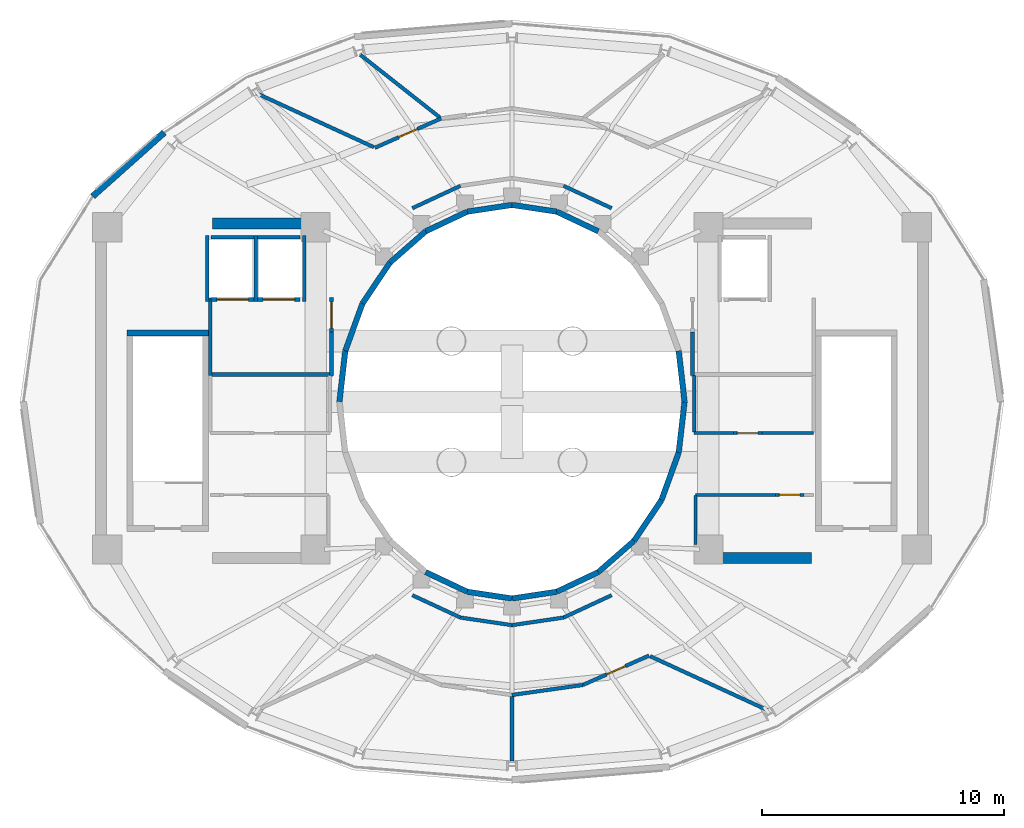
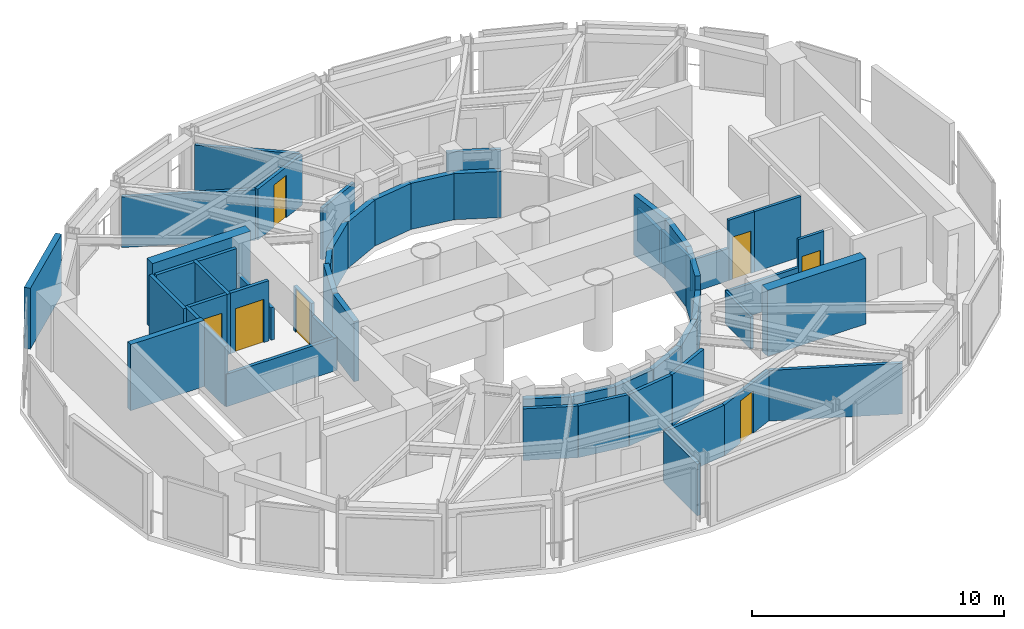
# One storey, part 15 of 17: 53 walls, 7 doors, 7 openings.
"""IFC4 building model written with IfcOpenShell, lengths in metres."""

from ifc_helpers import new_model, si_unit, direction, frame, frame_2d, origin, place, context, subcontext, project, spatial, rectangle, extrude, material, layer, layer_set, type_object, element, fill, save


model = new_model("IFC4")

# Units and contexts
model_context = context("Model", 3, precision=1e-05, world=origin(), true_north=direction((0.0, 1.0)))
body_context = subcontext(model_context, "Body", "Model", "MODEL_VIEW")
ifc_project = project(units=[si_unit("LENGTHUNIT", "METRE"), si_unit("AREAUNIT", "SQUARE_METRE"), si_unit("VOLUMEUNIT", "CUBIC_METRE"), si_unit("PLANEANGLEUNIT", "RADIAN"), si_unit("MASSUNIT", "GRAM", prefix="KILO")], contexts=[model_context])

# Site, building, storey
site_placement = place(None, origin())
site = spatial("IfcSite", under=ifc_project, at=site_placement, CompositionType="ELEMENT")
building_placement = place(site_placement, origin())
building = spatial("IfcBuilding", under=site, at=building_placement, Name="Solvane Sanctuary Tower", CompositionType="ELEMENT")
storey_placement = place(building_placement, frame((0.0, 0.0, 276.39990234375)))
storey = spatial("IfcBuildingStorey", under=building, at=storey_placement, Name="L84", CompositionType="ELEMENT", Elevation=276.39990234375)

# Walls
ifc_material_1 = material(Name="Concrete C50/60", Category="concrete")
ifc_layer_1 = layer(ifc_material_1, 0.449951171875, Name="Concrete C50/60")
ifc_layer_set_1 = layer_set([ifc_layer_1], Name="Concrete C50/60")
wall_type_1 = type_object("IfcWallType", Name="Wall W-CORE-450", PredefinedType="SHEAR", material=ifc_layer_set_1)
for number, where, z_axis, x_axis, name in (
    (1, (19.64990234375, 30.35009765625, 0.0), (0.0, 0.0, 1.0), (1.0, 0.0, 0.0), "L84 Core Shear Wall WC-N"),
    (2, (39.85009765625, 16.550048828125, 0.0), (0.0, 0.0, 1.0), (1.0, 0.0, 0.0), "L84 Core Shear Wall EC-S"),
):
    element("IfcWall", number, at=place(storey_placement, frame(where, z_axis=z_axis, x_axis=x_axis)), inside=storey, type_object=wall_type_1, Name=name, PredefinedType="SHEAR", context=body_context, shape_type="SweptSolid", body=[
        extrude(rectangle(XDim=4.5, YDim=0.449951171875, at=frame_2d((2.25, 0.0))), origin(), (0.0, 0.0, 1.0), 3.2001953125),
    ])
ifc_material_2 = material(Name="Acoustic Gypsum Partition Board")
ifc_layer_2 = layer(ifc_material_2, 0.14990234375, Name="Acoustic Gypsum Partition Board")
ifc_layer_set_2 = layer_set([ifc_layer_2], Name="Acoustic Gypsum Partition Board")
wall_type_2 = type_object("IfcWallType", Name="Wall W-CORR-150", PredefinedType="PARTITIONING", material=ifc_layer_set_2)
wall_1_placement = place(storey_placement, frame((19.52001953125, 24.1201171875, 0.0), z_axis=(0.0, 0.0, 1.0), x_axis=(1.0, 0.0, 0.0)))
element("IfcWall", 3, at=wall_1_placement, inside=storey, type_object=wall_type_2, Name="L84 West Firefighting Lobby South Wall", PredefinedType="PARTITIONING", context=body_context, shape_type="SweptSolid", body=[
    extrude(rectangle(XDim=5.080078125, YDim=0.14990234375, at=frame_2d((2.5400390625, 0.0))), origin(), (0.0, 0.0, 1.0), 1.570068359375),
])
wall_2_placement = place(storey_placement, frame((19.550048828125, 24.080078125, 0.0), z_axis=(0.0, 0.0, 1.0), x_axis=(0.0, 1.0, 0.0)))
element("IfcWall", 4, at=wall_2_placement, inside=storey, type_object=wall_type_2, Name="L84 West Firefighting Lobby West Wall", PredefinedType="PARTITIONING", context=body_context, shape_type="SweptSolid", body=[
    extrude(rectangle(XDim=3.199951171875, YDim=0.14990234375, at=frame_2d((1.60009765625, 0.0))), origin(), (0.0, 0.0, 1.0), 2.925048828125),
])
wall_3_placement = place(storey_placement, frame((24.550048828125, 24.080078125, 0.0), z_axis=(0.0, 0.0, 1.0), x_axis=(0.0, 1.0, 0.0)))
element("IfcWall", 5, at=wall_3_placement, inside=storey, type_object=wall_type_2, Name="L84 West Firefighting Lobby East Wall", PredefinedType="PARTITIONING", context=body_context, shape_type="SweptSolid", body=[
    extrude(rectangle(XDim=1.791015625, YDim=0.14990234375, at=frame_2d((0.8955078125, 0.0))), origin(), (0.0, 0.0, 1.0), 1.570068359375),
])

# Wall, opening, door
wall_4_placement = place(storey_placement, frame((24.550048828125, 25.87109375, 0.0), z_axis=(0.0, 0.0, 1.0), x_axis=(0.0, 1.0, 0.0)))
wall_4 = element("IfcWall", 6, at=wall_4_placement, inside=storey, type_object=wall_type_2, Name="L84 West Firefighting Lobby East Wall", PredefinedType="PARTITIONING", context=body_context, shape_type="SweptSolid", body=[
    extrude(rectangle(XDim=1.419921875, YDim=0.14990234375, at=frame_2d((0.7099609375, 0.0))), origin(), (0.0, 0.0, 1.0), 2.16015625),
])
opening_1_placement = place(wall_4_placement, frame((0.159912109375, 0.0, 0.0)))
opening_1 = element("IfcOpeningElement", 7, at=opening_1_placement, cuts=wall_4, Name="Opening D-L84-03", PredefinedType="OPENING", context=body_context, shape_type="SweptSolid", body=[
    extrude(rectangle(XDim=1.10009765625, YDim=2.10009765625, at=frame_2d((0.550048828125, 1.050048828125))), frame((0.0, 0.0849609375, 0.0), z_axis=(0.0, -1.0, 0.0), x_axis=(1.0, 0.0, 0.0)), (0.0, 0.0, 1.0), 0.169921875),
])
ifc_material_3 = material(Name="Architectural Stainless Steel 316", Category="steel")
door_type_1 = type_object("IfcDoorType", Name="Door D-FFL", OperationType="NOTDEFINED", PredefinedType="DOOR", material=ifc_material_3)
door_1_placement = place(opening_1_placement, origin())
door_1 = element("IfcDoor", 8, at=door_1_placement, inside=storey, type_object=door_type_1, Name="L84 West Firefighting Lobby Fire Door", OperationType="SINGLE_SWING_RIGHT", OverallHeight=2.10009765625, OverallWidth=1.10009765625, PredefinedType="DOOR", context=body_context, shape_type="SweptSolid", body=[
    extrude(rectangle(XDim=1.10009765625, YDim=2.10009765625, at=frame_2d((0.550048828125, 1.050048828125))), frame((0.0, 0.02490234375, 0.0), z_axis=(0.0, -1.0, 0.0), x_axis=(1.0, 0.0, 0.0)), (0.0, 0.0, 1.0), 0.050048828125),
])
fill(opening_1, door_1)

# Walls
wall_5_placement = place(storey_placement, frame((39.449951171875, 24.080078125, 0.0), z_axis=(0.0, 0.0, 1.0), x_axis=(0.0, 1.0, 0.0)))
element("IfcWall", 9, at=wall_5_placement, inside=storey, type_object=wall_type_2, Name="L84 East Firefighting Lobby West Wall", PredefinedType="PARTITIONING", context=body_context, shape_type="SweptSolid", body=[
    extrude(rectangle(XDim=1.791015625, YDim=0.14990234375, at=frame_2d((0.8955078125, 0.0))), origin(), (0.0, 0.0, 1.0), 1.570068359375),
])
for number, where, z_axis, x_axis, name in (
    (10, (36.110107421875, 30.98486328125, 0.0), (0.0, 0.0, 1.0), (-0.906943449489, 0.421252393975, 0.0), "L84 Light-Well Corridor Rim Wall N1"),
    (11, (29.87255859375, 31.90576171875, 0.0), (0.0, 0.0, 1.0), (-0.906943449489, -0.421252393975, 0.0), "L84 Light-Well Corridor Rim Wall N4"),
    (12, (27.889892578125, 15.01513671875, 0.0), (0.0, 0.0, 1.0), (0.906943449489, -0.421252393975, 0.0), "L84 Light-Well Corridor Rim Wall S1"),
):
    element("IfcWall", number, at=place(storey_placement, frame(where, z_axis=z_axis, x_axis=x_axis)), inside=storey, type_object=wall_type_2, Name=name, PredefinedType="PARTITIONING", context=body_context, shape_type="SweptSolid", body=[
        extrude(rectangle(XDim=2.18603515625, YDim=0.14990234375, at=frame_2d((1.093017578125, 0.0))), origin(), (0.0, 0.0, 1.0), 2.5009765625),
    ])
for number, where, z_axis, x_axis, name in (
    (13, (29.87255859375, 14.09423828125, 0.0), (0.0, 0.0, 1.0), (0.989268584896, -0.146108408166, 0.0), "L84 Light-Well Corridor Rim Wall S2"),
    (14, (32.0, 13.780029296875, 0.0), (0.0, 0.0, 1.0), (0.989268584896, 0.146108408166, 0.0), "L84 Light-Well Corridor Rim Wall S3"),
):
    element("IfcWall", number, at=place(storey_placement, frame(where, z_axis=z_axis, x_axis=x_axis)), inside=storey, type_object=wall_type_2, Name=name, PredefinedType="PARTITIONING", context=body_context, shape_type="SweptSolid", body=[
        extrude(rectangle(XDim=2.150634765625, YDim=0.14990234375, at=frame_2d((1.0751953125, 0.0))), origin(), (0.0, 0.0, 1.0), 2.5009765625),
    ])
wall_6_placement = place(storey_placement, frame((34.12744140625, 14.09423828125, 0.0), z_axis=(0.0, 0.0, 1.0), x_axis=(0.906943449489, 0.421252393975, 0.0)))
element("IfcWall", 15, at=wall_6_placement, inside=storey, type_object=wall_type_2, Name="L84 Light-Well Corridor Rim Wall S4", PredefinedType="PARTITIONING", context=body_context, shape_type="SweptSolid", body=[
    extrude(rectangle(XDim=2.18603515625, YDim=0.14990234375, at=frame_2d((1.093017578125, 0.0))), origin(), (0.0, 0.0, 1.0), 2.5009765625),
])
wall_7_placement = place(storey_placement, frame((29.031982421875, 34.7216796875, 0.0), z_axis=(0.0, 0.0, 1.0), x_axis=(-0.785483941074, 0.618882039096, 0.0)))
element("IfcWall", 16, at=wall_7_placement, inside=storey, type_object=wall_type_2, Name="L84 Mechanical Plant Radial Wall 105", PredefinedType="PARTITIONING", context=body_context, shape_type="SweptSolid", body=[
    extrude(rectangle(XDim=4.186767578125, YDim=0.14990234375, at=frame_2d((2.09326171875, 0.0))), origin(), (0.0, 0.0, 1.0), 2.5009765625),
])
wall_8_placement = place(storey_placement, frame((26.300048828125, 33.501953125, 0.0), z_axis=(0.0, 0.0, 1.0), x_axis=(-0.908705087361, 0.417438695144, 0.0)))
element("IfcWall", 17, at=wall_8_placement, inside=storey, type_object=wall_type_2, Name="L84 Mechanical Plant Radial Wall 120", PredefinedType="PARTITIONING", context=body_context, shape_type="SweptSolid", body=[
    extrude(rectangle(XDim=5.3173828125, YDim=0.14990234375, at=frame_2d((2.65869140625, 0.0))), origin(), (0.0, 0.0, 1.0), 2.455078125),
])
wall_9_placement = place(storey_placement, frame((32.0, 10.844970703125, 0.0), z_axis=(0.0, 0.0, 1.0), x_axis=(0.0, -1.0, 0.0)))
element("IfcWall", 18, at=wall_9_placement, inside=storey, type_object=wall_type_2, Name="L84 Mechanical Plant Radial Wall 270", PredefinedType="PARTITIONING", context=body_context, shape_type="SweptSolid", body=[
    extrude(rectangle(XDim=2.669921875, YDim=0.14990234375, at=frame_2d((1.3349609375, 0.0))), origin(), (0.0, 0.0, 1.0), 2.5009765625),
])
wall_10_placement = place(storey_placement, frame((37.699951171875, 12.498046875, 0.0), z_axis=(0.0, 0.0, 1.0), x_axis=(0.908705087361, -0.417438695144, 0.0)))
element("IfcWall", 19, at=wall_10_placement, inside=storey, type_object=wall_type_2, Name="L84 Mechanical Plant Radial Wall 300", PredefinedType="PARTITIONING", context=body_context, shape_type="SweptSolid", body=[
    extrude(rectangle(XDim=5.3173828125, YDim=0.14990234375, at=frame_2d((2.65869140625, 0.0))), origin(), (0.0, 0.0, 1.0), 2.455078125),
])

# Wall, opening, door
wall_11_placement = place(storey_placement, frame((29.0830078125, 34.68994140625, 0.0), z_axis=(0.0, 0.0, 1.0), x_axis=(-0.914100192658, -0.405488394141, 0.0)))
wall_11 = element("IfcWall", 20, at=wall_11_placement, inside=storey, type_object=wall_type_2, Name="L84 Plant Corridor Wall 3", PredefinedType="PARTITIONING", context=body_context, shape_type="SweptSolid", body=[
    extrude(rectangle(XDim=2.997314453125, YDim=0.14990234375, at=frame_2d((1.49853515625, 0.0))), origin(), (0.0, 0.0, 1.0), 2.455078125),
])
opening_2_placement = place(wall_11_placement, frame((1.073486328125, 0.0, 0.0)))
opening_2 = element("IfcOpeningElement", 21, at=opening_2_placement, cuts=wall_11, Name="Opening D-L84-11", PredefinedType="OPENING", context=body_context, shape_type="SweptSolid", body=[
    extrude(rectangle(XDim=0.85009765625, YDim=2.050048828125, at=frame_2d((0.425048828125, 1.02490234375))), frame((0.0, 0.0849609375, 0.0), z_axis=(0.0, -1.0, 0.0), x_axis=(1.0, 0.0, 0.0)), (0.0, 0.0, 1.0), 0.169921875),
])
door_type_2 = type_object("IfcDoorType", Name="Door D-RISER", OperationType="NOTDEFINED", PredefinedType="DOOR", material=ifc_material_3)
door_2_placement = place(opening_2_placement, origin())
door_2 = element("IfcDoor", 22, at=door_2_placement, inside=storey, type_object=door_type_2, Name="L84 Plant Room Door 3", OperationType="SINGLE_SWING_RIGHT", OverallHeight=2.050048828125, OverallWidth=0.85009765625, PredefinedType="DOOR", context=body_context, shape_type="SweptSolid", body=[
    extrude(rectangle(XDim=0.85009765625, YDim=2.050048828125, at=frame_2d((0.425048828125, 1.02490234375))), frame((0.0, 0.02490234375, 0.0), z_axis=(0.0, -1.0, 0.0), x_axis=(1.0, 0.0, 0.0)), (0.0, 0.0, 1.0), 0.050048828125),
])
fill(opening_2, door_2)

# Wall
wall_12_placement = place(storey_placement, frame((31.9921875, 10.89990234375, 0.0), z_axis=(0.0, 0.0, 1.0), x_axis=(0.990247167887, 0.139321737324, 0.0)))
element("IfcWall", 23, at=wall_12_placement, inside=storey, type_object=wall_type_2, Name="L84 Plant Corridor Wall 5", PredefinedType="PARTITIONING", context=body_context, shape_type="SweptSolid", body=[
    extrude(rectangle(XDim=2.963134765625, YDim=0.14990234375, at=frame_2d((1.4814453125, 0.0))), origin(), (0.0, 0.0, 1.0), 2.455078125),
])

# Wall, opening, door
wall_13_placement = place(storey_placement, frame((34.9228515625, 11.311767578125, 0.0), z_axis=(0.0, 0.0, 1.0), x_axis=(0.913989848226, 0.405737054432, 0.0)))
wall_13 = element("IfcWall", 24, at=wall_13_placement, inside=storey, type_object=wall_type_2, Name="L84 Plant Corridor Wall 5", PredefinedType="PARTITIONING", context=body_context, shape_type="SweptSolid", body=[
    extrude(rectangle(XDim=2.9912109375, YDim=0.14990234375, at=frame_2d((1.49560546875, 0.0))), origin(), (0.0, 0.0, 1.0), 2.455078125),
])
opening_3_placement = place(wall_13_placement, frame((1.070556640625, 0.0, 0.0)))
opening_3 = element("IfcOpeningElement", 25, at=opening_3_placement, cuts=wall_13, Name="Opening D-L84-13", PredefinedType="OPENING", context=body_context, shape_type="SweptSolid", body=[
    extrude(rectangle(XDim=0.85009765625, YDim=2.050048828125, at=frame_2d((0.425048828125, 1.02490234375))), frame((0.0, 0.0849609375, 0.0), z_axis=(0.0, -1.0, 0.0), x_axis=(1.0, 0.0, 0.0)), (0.0, 0.0, 1.0), 0.169921875),
])
door_3_placement = place(opening_3_placement, origin())
door_3 = element("IfcDoor", 26, at=door_3_placement, inside=storey, type_object=door_type_2, Name="L84 Plant Room Door 5", OperationType="SINGLE_SWING_RIGHT", OverallHeight=2.050048828125, OverallWidth=0.85009765625, PredefinedType="DOOR", context=body_context, shape_type="SweptSolid", body=[
    extrude(rectangle(XDim=0.85009765625, YDim=2.050048828125, at=frame_2d((0.425048828125, 1.02490234375))), frame((0.0, 0.02490234375, 0.0), z_axis=(0.0, -1.0, 0.0), x_axis=(1.0, 0.0, 0.0)), (0.0, 0.0, 1.0), 0.050048828125),
])
fill(opening_3, door_3)

# Walls
ifc_material_4 = material(Name="Precast concrete C40/50", Category="concrete")
ifc_layer_3 = layer(ifc_material_4, 0.260009765625, Name="Precast concrete C40/50")
ifc_layer_set_3 = layer_set([ifc_layer_3], Name="Precast concrete C40/50")
wall_type_3 = type_object("IfcWallType", Name="Wall W-EXT-250", PredefinedType="STANDARD", material=ifc_layer_set_3)
wall_14_placement = place(storey_placement, frame((17.652099609375, 34.106201171875, 0.0), z_axis=(0.0, 0.0, 1.0), x_axis=(-0.746567900399, -0.665309228926, 0.0)))
element("IfcWall", 27, at=wall_14_placement, inside=storey, type_object=wall_type_3, Name="L84 Crown Acoustic Louvred Wall 09", PredefinedType="STANDARD", context=body_context, shape_type="SweptSolid", body=[
    extrude(rectangle(XDim=3.95703125, YDim=0.260009765625, at=frame_2d((1.978515625, 0.0))), origin(), (0.0, 0.0, 1.0), 2.9501953125),
])
ifc_layer_4 = layer(ifc_material_4, 0.22998046875, Name="Precast concrete C40/50")
ifc_layer_set_4 = layer_set([ifc_layer_4], Name="Precast concrete C40/50")
wall_type_4 = type_object("IfcWallType", Name="Wall W-EXT-SP220", PredefinedType="STANDARD", material=ifc_layer_set_4)
wall_15_placement = place(storey_placement, frame((39.1201171875, 23.0, 0.0), z_axis=(0.0, 0.0, 1.0), x_axis=(-0.114711713601, 0.993398823617, 0.0)))
element("IfcWall", 28, at=wall_15_placement, inside=storey, type_object=wall_type_4, Name="L84 Central Light-Well Wall 00", PredefinedType="STANDARD", context=body_context, shape_type="SweptSolid", body=[
    extrude(rectangle(XDim=2.115478515625, YDim=0.22998046875, at=frame_2d((1.0576171875, 0.0))), origin(), (0.0, 0.0, 1.0), 2.91015625),
])
wall_16_placement = place(storey_placement, frame((35.56005859375, 30.031982421875, 0.0), z_axis=(0.0, 0.0, 1.0), x_axis=(-0.904179699603, 0.427152280606, 0.0)))
element("IfcWall", 29, at=wall_16_placement, inside=storey, type_object=wall_type_4, Name="L84 Central Light-Well Wall 04", PredefinedType="STANDARD", context=body_context, shape_type="SweptSolid", body=[
    extrude(rectangle(XDim=1.899169921875, YDim=0.22998046875, at=frame_2d((0.94970703125, 0.0))), origin(), (0.0, 0.0, 1.0), 2.22998046875),
])
for number, where, z_axis, x_axis, name in (
    (30, (33.8427734375, 30.84326171875, 0.0), (0.0, 0.0, 1.0), (-0.988901730308, 0.148571086668, 0.0), "L84 Central Light-Well Wall 05"),
    (31, (32.0, 31.1201171875, 0.0), (0.0, 0.0, 1.0), (-0.988901730308, -0.148571086668, 0.0), "L84 Central Light-Well Wall 06"),
):
    element("IfcWall", number, at=place(storey_placement, frame(where, z_axis=z_axis, x_axis=x_axis)), inside=storey, type_object=wall_type_4, Name=name, PredefinedType="STANDARD", context=body_context, shape_type="SweptSolid", body=[
        extrude(rectangle(XDim=1.863525390625, YDim=0.22998046875, at=frame_2d((0.931640625, 0.0))), origin(), (0.0, 0.0, 1.0), 2.22998046875),
    ])
wall_17_placement = place(storey_placement, frame((30.1572265625, 30.84326171875, 0.0), z_axis=(0.0, 0.0, 1.0), x_axis=(-0.904179699603, -0.427152280606, 0.0)))
element("IfcWall", 32, at=wall_17_placement, inside=storey, type_object=wall_type_4, Name="L84 Central Light-Well Wall 07", PredefinedType="STANDARD", context=body_context, shape_type="SweptSolid", body=[
    extrude(rectangle(XDim=1.899169921875, YDim=0.22998046875, at=frame_2d((0.94970703125, 0.0))), origin(), (0.0, 0.0, 1.0), 2.22998046875),
])
wall_18_placement = place(storey_placement, frame((28.43994140625, 30.031982421875, 0.0), z_axis=(0.0, 0.0, 1.0), x_axis=(-0.752576694707, -0.658504607869, 0.0)))
element("IfcWall", 33, at=wall_18_placement, inside=storey, type_object=wall_type_4, Name="L84 Central Light-Well Wall 08", PredefinedType="STANDARD", context=body_context, shape_type="SweptSolid", body=[
    extrude(rectangle(XDim=1.95947265625, YDim=0.22998046875, at=frame_2d((0.979736328125, 0.0))), origin(), (0.0, 0.0, 1.0), 2.22998046875),
])
wall_19_placement = place(storey_placement, frame((26.96533203125, 28.74169921875, 0.0), z_axis=(0.0, 0.0, 1.0), x_axis=(-0.558197800898, -0.829707909492, 0.0)))
element("IfcWall", 34, at=wall_19_placement, inside=storey, type_object=wall_type_4, Name="L84 Central Light-Well Wall 09", PredefinedType="STANDARD", context=body_context, shape_type="SweptSolid", body=[
    extrude(rectangle(XDim=2.02685546875, YDim=0.22998046875, at=frame_2d((1.013427734375, 0.0))), origin(), (0.0, 0.0, 1.0), 2.22998046875),
])
wall_20_placement = place(storey_placement, frame((25.833984375, 27.06005859375, 0.0), z_axis=(0.0, 0.0, 1.0), x_axis=(-0.341423187295, -0.93990968033, 0.0)))
element("IfcWall", 35, at=wall_20_placement, inside=storey, type_object=wall_type_4, Name="L84 Central Light-Well Wall 10", PredefinedType="STANDARD", context=body_context, shape_type="SweptSolid", body=[
    extrude(rectangle(XDim=2.083740234375, YDim=0.22998046875, at=frame_2d((1.0419921875, 0.0))), origin(), (0.0, 0.0, 1.0), 2.91015625),
])
wall_21_placement = place(storey_placement, frame((25.12255859375, 25.1015625, 0.0), z_axis=(0.0, 0.0, 1.0), x_axis=(-0.114711713601, -0.993398823617, 0.0)))
element("IfcWall", 36, at=wall_21_placement, inside=storey, type_object=wall_type_4, Name="L84 Central Light-Well Wall 11", PredefinedType="STANDARD", context=body_context, shape_type="SweptSolid", body=[
    extrude(rectangle(XDim=2.115478515625, YDim=0.22998046875, at=frame_2d((1.0576171875, 0.0))), origin(), (0.0, 0.0, 1.0), 2.91015625),
])
wall_22_placement = place(storey_placement, frame((28.43994140625, 15.968017578125, 0.0), z_axis=(0.0, 0.0, 1.0), x_axis=(0.904179699603, -0.427152280606, 0.0)))
element("IfcWall", 37, at=wall_22_placement, inside=storey, type_object=wall_type_4, Name="L84 Central Light-Well Wall 16", PredefinedType="STANDARD", context=body_context, shape_type="SweptSolid", body=[
    extrude(rectangle(XDim=1.899169921875, YDim=0.22998046875, at=frame_2d((0.94970703125, 0.0))), origin(), (0.0, 0.0, 1.0), 2.22998046875),
])
for number, where, z_axis, x_axis, name in (
    (38, (30.1572265625, 15.15673828125, 0.0), (0.0, 0.0, 1.0), (0.988901730308, -0.148571086668, 0.0), "L84 Central Light-Well Wall 17"),
    (39, (32.0, 14.8798828125, 0.0), (0.0, 0.0, 1.0), (0.988901730308, 0.148571086668, 0.0), "L84 Central Light-Well Wall 18"),
):
    element("IfcWall", number, at=place(storey_placement, frame(where, z_axis=z_axis, x_axis=x_axis)), inside=storey, type_object=wall_type_4, Name=name, PredefinedType="STANDARD", context=body_context, shape_type="SweptSolid", body=[
        extrude(rectangle(XDim=1.863525390625, YDim=0.22998046875, at=frame_2d((0.931640625, 0.0))), origin(), (0.0, 0.0, 1.0), 2.22998046875),
    ])
wall_23_placement = place(storey_placement, frame((33.8427734375, 15.15673828125, 0.0), z_axis=(0.0, 0.0, 1.0), x_axis=(0.904179699603, 0.427152280606, 0.0)))
element("IfcWall", 40, at=wall_23_placement, inside=storey, type_object=wall_type_4, Name="L84 Central Light-Well Wall 19", PredefinedType="STANDARD", context=body_context, shape_type="SweptSolid", body=[
    extrude(rectangle(XDim=1.899169921875, YDim=0.22998046875, at=frame_2d((0.94970703125, 0.0))), origin(), (0.0, 0.0, 1.0), 2.22998046875),
])
wall_24_placement = place(storey_placement, frame((35.56005859375, 15.968017578125, 0.0), z_axis=(0.0, 0.0, 1.0), x_axis=(0.752576694707, 0.658504607869, 0.0)))
element("IfcWall", 41, at=wall_24_placement, inside=storey, type_object=wall_type_4, Name="L84 Central Light-Well Wall 20", PredefinedType="STANDARD", context=body_context, shape_type="SweptSolid", body=[
    extrude(rectangle(XDim=1.95947265625, YDim=0.22998046875, at=frame_2d((0.979736328125, 0.0))), origin(), (0.0, 0.0, 1.0), 2.22998046875),
])
wall_25_placement = place(storey_placement, frame((37.03466796875, 17.25830078125, 0.0), z_axis=(0.0, 0.0, 1.0), x_axis=(0.558197800898, 0.829707909492, 0.0)))
element("IfcWall", 42, at=wall_25_placement, inside=storey, type_object=wall_type_4, Name="L84 Central Light-Well Wall 21", PredefinedType="STANDARD", context=body_context, shape_type="SweptSolid", body=[
    extrude(rectangle(XDim=2.02685546875, YDim=0.22998046875, at=frame_2d((1.013427734375, 0.0))), origin(), (0.0, 0.0, 1.0), 2.22998046875),
])
wall_26_placement = place(storey_placement, frame((38.166015625, 18.93994140625, 0.0), z_axis=(0.0, 0.0, 1.0), x_axis=(0.341423187295, 0.93990968033, 0.0)))
element("IfcWall", 43, at=wall_26_placement, inside=storey, type_object=wall_type_4, Name="L84 Central Light-Well Wall 22", PredefinedType="STANDARD", context=body_context, shape_type="SweptSolid", body=[
    extrude(rectangle(XDim=2.083740234375, YDim=0.22998046875, at=frame_2d((1.0419921875, 0.0))), origin(), (0.0, 0.0, 1.0), 2.91015625),
])
wall_27_placement = place(storey_placement, frame((38.87744140625, 20.8984375, 0.0), z_axis=(0.0, 0.0, 1.0), x_axis=(0.114711713601, 0.993398823617, 0.0)))
element("IfcWall", 44, at=wall_27_placement, inside=storey, type_object=wall_type_4, Name="L84 Central Light-Well Wall 23", PredefinedType="STANDARD", context=body_context, shape_type="SweptSolid", body=[
    extrude(rectangle(XDim=2.115478515625, YDim=0.22998046875, at=frame_2d((1.0576171875, 0.0))), origin(), (0.0, 0.0, 1.0), 2.91015625),
])
ifc_layer_5 = layer(ifc_material_2, 0.125, Name="Acoustic Gypsum Partition Board")
ifc_layer_set_5 = layer_set([ifc_layer_5], Name="Acoustic Gypsum Partition Board")
wall_type_5 = type_object("IfcWallType", Name="Wall W-PART-125", PredefinedType="PARTITIONING", material=ifc_layer_set_5)
wall_28_placement = place(storey_placement, frame((39.580078125, 19.159912109375, 0.0), z_axis=(0.0, 0.0, 1.0), x_axis=(1.0, 0.0, 0.0)))
element("IfcWall", 45, at=wall_28_placement, inside=storey, type_object=wall_type_5, Name="L84 Reclaimed Room Partition PLE", PredefinedType="PARTITIONING", context=body_context, shape_type="SweptSolid", body=[
    extrude(rectangle(XDim=3.2900390625, YDim=0.125, at=frame_2d((1.64501953125, 0.0))), origin(), (0.0, 0.0, 1.0), 1.570068359375),
])

# Wall, opening, door
wall_29_placement = place(storey_placement, frame((42.8701171875, 19.159912109375, 0.0), z_axis=(0.0, 0.0, 1.0), x_axis=(1.0, 0.0, 0.0)))
wall_29 = element("IfcWall", 46, at=wall_29_placement, inside=storey, type_object=wall_type_5, Name="L84 Reclaimed Room Partition PLE", PredefinedType="PARTITIONING", context=body_context, shape_type="SweptSolid", body=[
    extrude(rectangle(XDim=1.169921875, YDim=0.125, at=frame_2d((0.5849609375, 0.0))), origin(), (0.0, 0.0, 1.0), 2.925048828125),
])
opening_4_placement = place(wall_29_placement, frame((0.159912109375, 0.0, 0.0)))
opening_4 = element("IfcOpeningElement", 47, at=opening_4_placement, cuts=wall_29, Name="Opening D-L84-06", PredefinedType="OPENING", context=body_context, shape_type="SweptSolid", body=[
    extrude(rectangle(XDim=0.85009765625, YDim=2.050048828125, at=frame_2d((0.425048828125, 1.02490234375))), frame((0.0, 0.072509765625, 0.0), z_axis=(0.0, -1.0, 0.0), x_axis=(1.0, 0.0, 0.0)), (0.0, 0.0, 1.0), 0.14501953125),
])
door_4_placement = place(opening_4_placement, origin())
door_4 = element("IfcDoor", 48, at=door_4_placement, inside=storey, type_object=door_type_2, Name="L84 Reclaimed Room Door PLE-1", OperationType="SINGLE_SWING_LEFT", OverallHeight=2.050048828125, OverallWidth=0.85009765625, PredefinedType="DOOR", context=body_context, shape_type="SweptSolid", body=[
    extrude(rectangle(XDim=0.85009765625, YDim=2.050048828125, at=frame_2d((0.425048828125, 1.02490234375))), frame((0.0, 0.02490234375, 0.0), z_axis=(0.0, -1.0, 0.0), x_axis=(1.0, 0.0, 0.0)), (0.0, 0.0, 1.0), 0.050048828125),
])
fill(opening_4, door_4)

# Walls
wall_30_placement = place(storey_placement, frame((39.580078125, 17.10009765625, 0.0), z_axis=(0.0, 0.0, 1.0), x_axis=(0.0, 1.0, 0.0)))
element("IfcWall", 49, at=wall_30_placement, inside=storey, type_object=wall_type_5, Name="L84 Reclaimed Room Closer Wall PLE-1", PredefinedType="PARTITIONING", context=body_context, shape_type="SweptSolid", body=[
    extrude(rectangle(XDim=2.039794921875, YDim=0.125, at=frame_2d((1.02001953125, 0.0))), origin(), (0.0, 0.0, 1.0), 1.570068359375),
])
wall_31_placement = place(storey_placement, frame((39.5, 21.699951171875, 0.0), z_axis=(0.0, 0.0, 1.0), x_axis=(1.0, 0.0, 0.0)))
element("IfcWall", 50, at=wall_31_placement, inside=storey, type_object=wall_type_5, Name="L84 Reclaimed Room Partition PME", PredefinedType="PARTITIONING", context=body_context, shape_type="SweptSolid", body=[
    extrude(rectangle(XDim=1.639892578125, YDim=0.125, at=frame_2d((0.81982421875, 0.0))), origin(), (0.0, 0.0, 1.0), 1.570068359375),
])

# Wall, opening, door
wall_32_placement = place(storey_placement, frame((41.139892578125, 21.699951171875, 0.0), z_axis=(0.0, 0.0, 1.0), x_axis=(1.0, 0.0, 0.0)))
wall_32 = element("IfcWall", 51, at=wall_32_placement, inside=storey, type_object=wall_type_5, Name="L84 Reclaimed Room Partition PME", PredefinedType="PARTITIONING", context=body_context, shape_type="SweptSolid", body=[
    extrude(rectangle(XDim=1.170166015625, YDim=0.125, at=frame_2d((0.5849609375, 0.0))), origin(), (0.0, 0.0, 1.0), 2.925048828125),
])
opening_5_placement = place(wall_32_placement, frame((0.159912109375, 0.0, 0.0)))
opening_5 = element("IfcOpeningElement", 52, at=opening_5_placement, cuts=wall_32, Name="Opening D-L84-08", PredefinedType="OPENING", context=body_context, shape_type="SweptSolid", body=[
    extrude(rectangle(XDim=0.85009765625, YDim=2.050048828125, at=frame_2d((0.425048828125, 1.02490234375))), frame((0.0, 0.072509765625, 0.0), z_axis=(0.0, -1.0, 0.0), x_axis=(1.0, 0.0, 0.0)), (0.0, 0.0, 1.0), 0.14501953125),
])
door_5_placement = place(opening_5_placement, origin())
door_5 = element("IfcDoor", 53, at=door_5_placement, inside=storey, type_object=door_type_2, Name="L84 Reclaimed Room Door PME-1", OperationType="SINGLE_SWING_LEFT", OverallHeight=2.050048828125, OverallWidth=0.85009765625, PredefinedType="DOOR", context=body_context, shape_type="SweptSolid", body=[
    extrude(rectangle(XDim=0.85009765625, YDim=2.050048828125, at=frame_2d((0.425048828125, 1.02490234375))), frame((0.0, 0.02490234375, 0.0), z_axis=(0.0, -1.0, 0.0), x_axis=(1.0, 0.0, 0.0)), (0.0, 0.0, 1.0), 0.050048828125),
])
fill(opening_5, door_5)

# Walls
wall_33_placement = place(storey_placement, frame((42.31005859375, 21.699951171875, 0.0), z_axis=(0.0, 0.0, 1.0), x_axis=(1.0, 0.0, 0.0)))
element("IfcWall", 54, at=wall_33_placement, inside=storey, type_object=wall_type_5, Name="L84 Reclaimed Room Partition PME", PredefinedType="PARTITIONING", context=body_context, shape_type="SweptSolid", body=[
    extrude(rectangle(XDim=2.139892578125, YDim=0.125, at=frame_2d((1.06982421875, 0.0))), origin(), (0.0, 0.0, 1.0), 2.925048828125),
])
wall_34_placement = place(storey_placement, frame((39.52001953125, 21.760009765625, 0.0), z_axis=(0.0, 0.0, 1.0), x_axis=(0.0, 1.0, 0.0)))
element("IfcWall", 55, at=wall_34_placement, inside=storey, type_object=wall_type_5, Name="L84 Reclaimed Room Closer Wall PME-1", PredefinedType="PARTITIONING", context=body_context, shape_type="SweptSolid", body=[
    extrude(rectangle(XDim=2.320068359375, YDim=0.125, at=frame_2d((1.16015625, 0.0))), origin(), (0.0, 0.0, 1.0), 1.570068359375),
])

# Wall, opening, door
ifc_layer_6 = layer(ifc_material_1, 0.14990234375, Name="Concrete C50/60")
ifc_layer_set_6 = layer_set([ifc_layer_6], Name="Concrete C50/60")
wall_type_6 = type_object("IfcWallType", Name="Wall W-SHAFT-150", PredefinedType="SOLIDWALL", material=ifc_layer_set_6)
wall_35_placement = place(storey_placement, frame((19.590087890625, 27.219970703125, 0.0), z_axis=(0.0, 0.0, 1.0), x_axis=(1.0, 0.0, 0.0)))
wall_35 = element("IfcWall", 56, at=wall_35_placement, inside=storey, type_object=wall_type_6, Name="L84 FFL-1 Lift Shaft Wall F", PredefinedType="SOLIDWALL", context=body_context, shape_type="SweptSolid", body=[
    extrude(rectangle(XDim=1.760009765625, YDim=0.14990234375, at=frame_2d((0.8798828125, 0.0))), origin(), (0.0, 0.0, 1.0), 2.925048828125),
])
opening_6_placement = place(wall_35_placement, frame((0.22998046875, 0.0, 0.0)))
opening_6 = element("IfcOpeningElement", 57, at=opening_6_placement, cuts=wall_35, Name="Opening LD-L84-01", PredefinedType="OPENING", context=body_context, shape_type="SweptSolid", body=[
    extrude(rectangle(XDim=1.300048828125, YDim=2.10009765625, at=frame_2d((0.64990234375, 1.050048828125))), frame((0.0, 0.0849609375, 0.0), z_axis=(0.0, -1.0, 0.0), x_axis=(1.0, 0.0, 0.0)), (0.0, 0.0, 1.0), 0.169921875),
])
door_type_3 = type_object("IfcDoorType", Name="Door LD-FFL-1300", OperationType="NOTDEFINED", PredefinedType="DOOR", material=ifc_material_3)
door_6_placement = place(opening_6_placement, origin())
door_6 = element("IfcDoor", 58, at=door_6_placement, inside=storey, type_object=door_type_3, Name="L84 FFL-1 Lift Landing Door", OperationType="DOUBLE_DOOR_SLIDING", OverallHeight=2.10009765625, OverallWidth=1.300048828125, PredefinedType="DOOR", context=body_context, shape_type="SweptSolid", body=[
    extrude(rectangle(XDim=1.300048828125, YDim=2.10009765625, at=frame_2d((0.64990234375, 1.050048828125))), frame((0.0, 0.02490234375, 0.0), z_axis=(0.0, -1.0, 0.0), x_axis=(1.0, 0.0, 0.0)), (0.0, 0.0, 1.0), 0.050048828125),
])
fill(opening_6, door_6)

# Walls
wall_36_placement = place(storey_placement, frame((19.590087890625, 29.780029296875, 0.0), z_axis=(0.0, 0.0, 1.0), x_axis=(1.0, 0.0, 0.0)))
element("IfcWall", 59, at=wall_36_placement, inside=storey, type_object=wall_type_6, Name="L84 FFL-1 Lift Shaft Wall B", PredefinedType="SOLIDWALL", context=body_context, shape_type="SweptSolid", body=[
    extrude(rectangle(XDim=1.760009765625, YDim=0.14990234375, at=frame_2d((0.8798828125, 0.0))), origin(), (0.0, 0.0, 1.0), 2.925048828125),
])
for number, where, z_axis, x_axis, name in (
    (60, (19.419921875, 27.139892578125, 0.0), (0.0, 0.0, 1.0), (0.0, 1.0, 0.0), "L84 FFL-1 Lift Shaft Wall S1"),
    (61, (21.425048828125, 27.139892578125, 0.0), (0.0, 0.0, 1.0), (0.0, 1.0, 0.0), "L84 FFL-1 Lift Shaft Wall S2"),
):
    element("IfcWall", number, at=place(storey_placement, frame(where, z_axis=z_axis, x_axis=x_axis)), inside=storey, type_object=wall_type_6, Name=name, PredefinedType="SOLIDWALL", context=body_context, shape_type="SweptSolid", body=[
        extrude(rectangle(XDim=2.72021484375, YDim=0.14990234375, at=frame_2d((1.360107421875, 0.0))), origin(), (0.0, 0.0, 1.0), 2.925048828125),
    ])

# Wall, opening, door
wall_37_placement = place(storey_placement, frame((21.5, 27.219970703125, 0.0), z_axis=(0.0, 0.0, 1.0), x_axis=(1.0, 0.0, 0.0)))
wall_37 = element("IfcWall", 62, at=wall_37_placement, inside=storey, type_object=wall_type_6, Name="L84 SVL-1 Lift Shaft Wall F", PredefinedType="SOLIDWALL", context=body_context, shape_type="SweptSolid", body=[
    extrude(rectangle(XDim=1.760009765625, YDim=0.14990234375, at=frame_2d((0.8798828125, 0.0))), origin(), (0.0, 0.0, 1.0), 2.925048828125),
])
opening_7_placement = place(wall_37_placement, frame((0.22998046875, 0.0, 0.0)))
opening_7 = element("IfcOpeningElement", 63, at=opening_7_placement, cuts=wall_37, Name="Opening LD-L84-02", PredefinedType="OPENING", context=body_context, shape_type="SweptSolid", body=[
    extrude(rectangle(XDim=1.300048828125, YDim=2.10009765625, at=frame_2d((0.64990234375, 1.050048828125))), frame((0.0, 0.0849609375, 0.0), z_axis=(0.0, -1.0, 0.0), x_axis=(1.0, 0.0, 0.0)), (0.0, 0.0, 1.0), 0.169921875),
])
door_7_placement = place(opening_7_placement, origin())
door_7 = element("IfcDoor", 64, at=door_7_placement, inside=storey, type_object=door_type_3, Name="L84 SVL-1 Lift Landing Door", OperationType="DOUBLE_DOOR_SLIDING", OverallHeight=2.10009765625, OverallWidth=1.300048828125, PredefinedType="DOOR", context=body_context, shape_type="SweptSolid", body=[
    extrude(rectangle(XDim=1.300048828125, YDim=2.10009765625, at=frame_2d((0.64990234375, 1.050048828125))), frame((0.0, 0.02490234375, 0.0), z_axis=(0.0, -1.0, 0.0), x_axis=(1.0, 0.0, 0.0)), (0.0, 0.0, 1.0), 0.050048828125),
])
fill(opening_7, door_7)

# Walls
wall_38_placement = place(storey_placement, frame((21.5, 29.780029296875, 0.0), z_axis=(0.0, 0.0, 1.0), x_axis=(1.0, 0.0, 0.0)))
element("IfcWall", 65, at=wall_38_placement, inside=storey, type_object=wall_type_6, Name="L84 SVL-1 Lift Shaft Wall B", PredefinedType="SOLIDWALL", context=body_context, shape_type="SweptSolid", body=[
    extrude(rectangle(XDim=1.760009765625, YDim=0.14990234375, at=frame_2d((0.8798828125, 0.0))), origin(), (0.0, 0.0, 1.0), 2.925048828125),
])
wall_39_placement = place(storey_placement, frame((23.429931640625, 27.139892578125, 0.0), z_axis=(0.0, 0.0, 1.0), x_axis=(0.0, 1.0, 0.0)))
element("IfcWall", 66, at=wall_39_placement, inside=storey, type_object=wall_type_6, Name="L84 SVL-1 Lift Shaft Wall S2", PredefinedType="SOLIDWALL", context=body_context, shape_type="SweptSolid", body=[
    extrude(rectangle(XDim=2.72021484375, YDim=0.14990234375, at=frame_2d((1.360107421875, 0.0))), origin(), (0.0, 0.0, 1.0), 1.570068359375),
])
ifc_layer_7 = layer(ifc_material_1, 0.25, Name="Concrete C50/60")
ifc_layer_set_7 = layer_set([ifc_layer_7], Name="Concrete C50/60")
wall_type_7 = type_object("IfcWallType", Name="Wall W-SHAFT-250", PredefinedType="SOLIDWALL", material=ifc_layer_set_7)
wall_40_placement = place(storey_placement, frame((16.10498046875, 25.830078125, 0.0), z_axis=(0.0, 0.0, 1.0), x_axis=(1.0, 0.0, 0.0)))
element("IfcWall", 67, at=wall_40_placement, inside=storey, type_object=wall_type_7, Name="L84 ST-1 Load-Bearing Shaft Wall N", PredefinedType="SOLIDWALL", context=body_context, shape_type="SweptSolid", body=[
    extrude(rectangle(XDim=3.3701171875, YDim=0.25, at=frame_2d((1.68505859375, 0.0))), origin(), (0.0, 0.0, 1.0), 3.2001953125),
])

save(model, "model.ifc")
